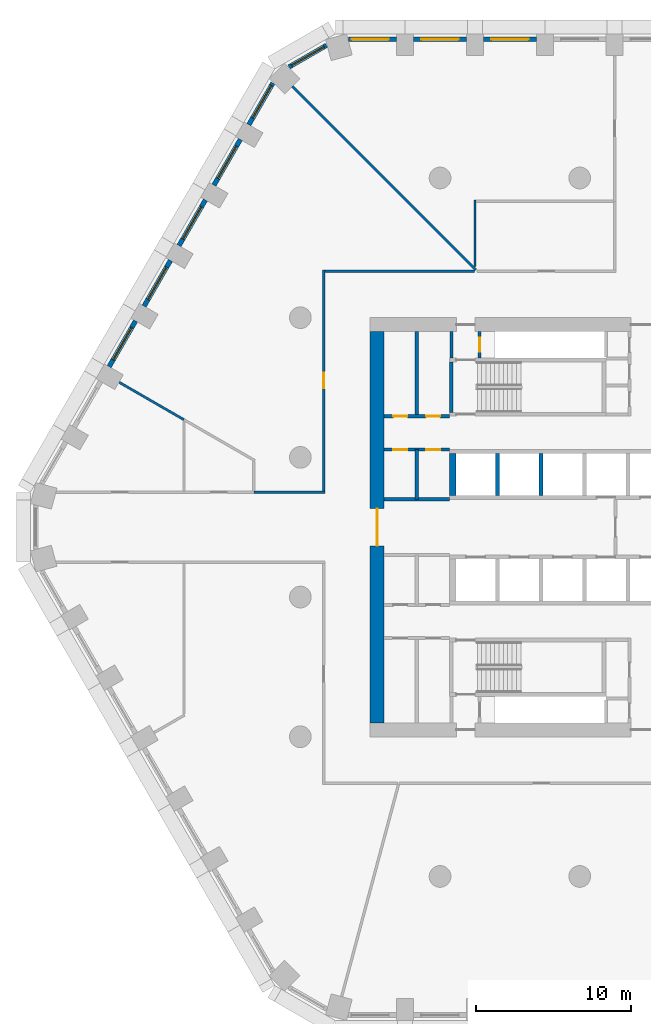
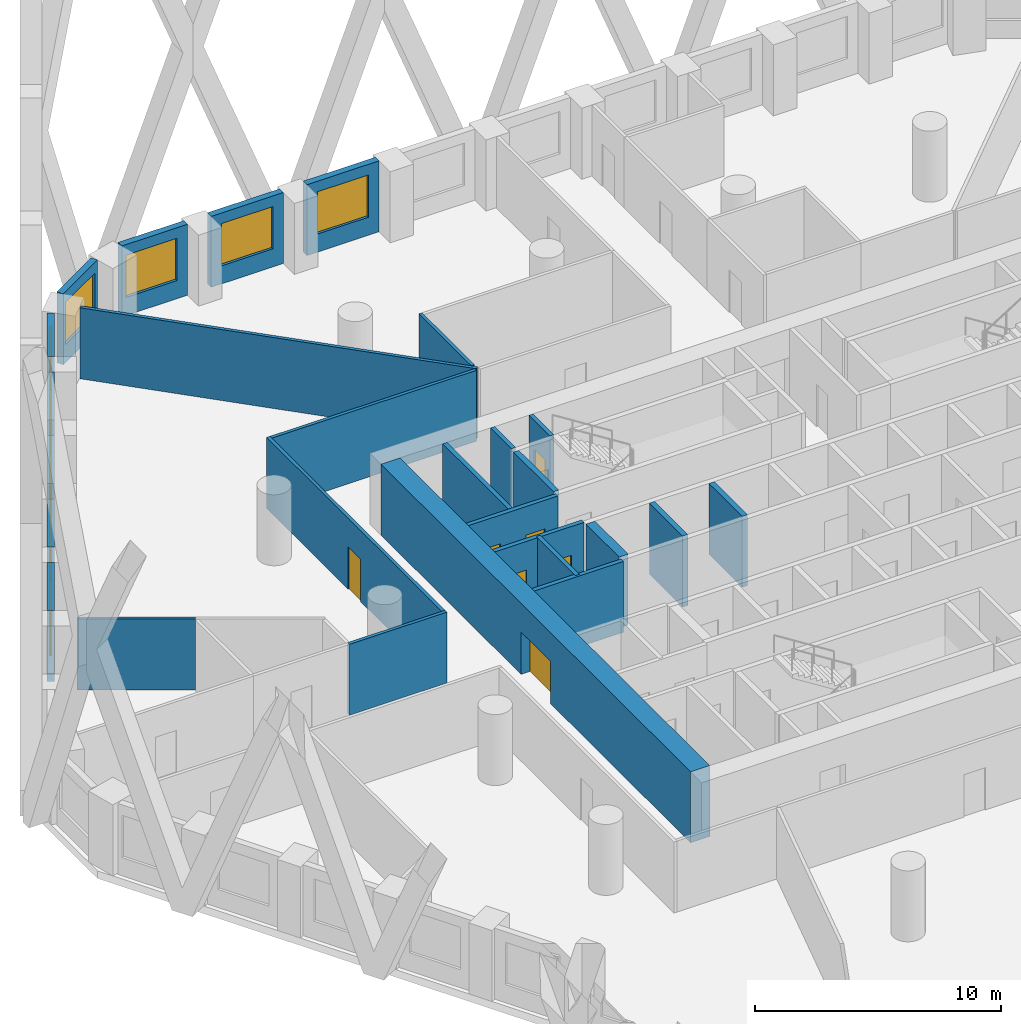
# One storey, part 5 of 18: 27 walls, 9 windows, 7 doors, 16 openings.
"""IFC4 building model written with IfcOpenShell, lengths in metres."""

from ifc_helpers import new_model, si_unit, direction, frame, frame_2d, origin, place, context, subcontext, project, spatial, polyline, rectangle, outline, extrude, material, layer, layer_set, type_object, element, fill, save


model = new_model("IFC4")

# Units and contexts
model_context = context("Model", 3, precision=1e-05, world=origin(), true_north=direction((0.0, 1.0)))
body_context = subcontext(model_context, "Body", "Model", "MODEL_VIEW")
ifc_project = project(units=[si_unit("LENGTHUNIT", "METRE"), si_unit("AREAUNIT", "SQUARE_METRE"), si_unit("VOLUMEUNIT", "CUBIC_METRE"), si_unit("PLANEANGLEUNIT", "RADIAN"), si_unit("MASSUNIT", "GRAM", prefix="KILO")], contexts=[model_context])

# Site, building, storey
site_placement = place(None, origin())
site = spatial("IfcSite", under=ifc_project, at=site_placement, CompositionType="ELEMENT")
building_placement = place(site_placement, origin())
building = spatial("IfcBuilding", under=site, at=building_placement, Name="Dhurran Vertical Campus", CompositionType="ELEMENT")
storey_placement = place(building_placement, frame((0.0, 0.0, 53.39990234375)))
storey = spatial("IfcBuildingStorey", under=building, at=storey_placement, Name="L12", CompositionType="ELEMENT", Elevation=53.39990234375)

# Wall, opening, window
ifc_material_1 = material(Name="Precast concrete C50/60", Category="concrete")
ifc_layer_1 = layer(ifc_material_1, 0.300048828125)
ifc_layer_set_1 = layer_set([ifc_layer_1], Name="Precast concrete C50/60")
wall_type_1 = type_object("IfcWallType", Name="Precast spandrel wall 300", PredefinedType="SOLIDWALL", material=ifc_layer_set_1)
wall_1_placement = place(storey_placement, frame((-7.300537109375, 31.4296875, 0.0), z_axis=(0.0, 0.0, 1.0), x_axis=(-1.0, 0.0, 0.0)))
wall_1 = element("IfcWall", 1, at=wall_1_placement, inside=storey, type_object=wall_type_1, Name="EW1 L12.32", PredefinedType="SOLIDWALL", context=body_context, shape_type="SweptSolid", body=[
    extrude(rectangle(XDim=3.39892578125, YDim=0.300048828125, at=frame_2d((1.699462890625, 0.0))), origin(), (0.0, 0.0, 1.0), 3.525146484375),
])
opening_1_placement = place(wall_1_placement, frame((0.49951171875, 0.0, 0.89990234375)))
opening_1 = element("IfcOpeningElement", 2, at=opening_1_placement, cuts=wall_1, Name="Opening WT1", PredefinedType="OPENING", context=body_context, shape_type="SweptSolid", body=[
    extrude(rectangle(XDim=2.39990234375, YDim=2.10009765625, at=frame_2d((1.199951171875, 1.050048828125))), frame((0.0, 0.159912109375, 0.0), z_axis=(0.0, -1.0, 0.0), x_axis=(1.0, 0.0, 0.0)), (0.0, 0.0, 1.0), 0.320068359375),
])
ifc_material_2 = material(Name="Aluminium frame with solar-control glass", Category="aluminium")
window_type = type_object("IfcWindowType", Name="Punched window 2400 x 2100", PartitioningType="SINGLE_PANEL", PredefinedType="WINDOW", material=ifc_material_2)
window_1_placement = place(opening_1_placement, origin())
window_1 = element("IfcWindow", 3, at=window_1_placement, inside=storey, type_object=window_type, Name="WT1 L12.32", OverallHeight=2.10009765625, OverallWidth=2.39990234375, PartitioningType="SINGLE_PANEL", PredefinedType="WINDOW", context=body_context, shape_type="SweptSolid", body=[
    extrude(rectangle(XDim=2.39990234375, YDim=2.10009765625, at=frame_2d((1.199951171875, 1.050048828125))), frame((0.0, 0.030029296875, 0.0), z_axis=(0.0, -1.0, 0.0), x_axis=(1.0, 0.0, 0.0)), (0.0, 0.0, 1.0), 0.06005859375),
])
fill(opening_1, window_1)

wall_2_placement = place(storey_placement, frame((-11.800537109375, 31.4296875, 0.0), z_axis=(0.0, 0.0, 1.0), x_axis=(-1.0, 0.0, 0.0)))
wall_2 = element("IfcWall", 4, at=wall_2_placement, inside=storey, type_object=wall_type_1, Name="EW1 L12.33", PredefinedType="SOLIDWALL", context=body_context, shape_type="SweptSolid", body=[
    extrude(rectangle(XDim=3.39892578125, YDim=0.300048828125, at=frame_2d((1.699462890625, 0.0))), origin(), (0.0, 0.0, 1.0), 3.525146484375),
])
opening_2_placement = place(wall_2_placement, frame((0.49951171875, 0.0, 0.89990234375)))
opening_2 = element("IfcOpeningElement", 5, at=opening_2_placement, cuts=wall_2, Name="Opening WT1", PredefinedType="OPENING", context=body_context, shape_type="SweptSolid", body=[
    extrude(rectangle(XDim=2.39990234375, YDim=2.10009765625, at=frame_2d((1.199951171875, 1.050048828125))), frame((0.0, 0.159912109375, 0.0), z_axis=(0.0, -1.0, 0.0), x_axis=(1.0, 0.0, 0.0)), (0.0, 0.0, 1.0), 0.320068359375),
])
window_2_placement = place(opening_2_placement, origin())
window_2 = element("IfcWindow", 6, at=window_2_placement, inside=storey, type_object=window_type, Name="WT1 L12.33", OverallHeight=2.10009765625, OverallWidth=2.39990234375, PartitioningType="SINGLE_PANEL", PredefinedType="WINDOW", context=body_context, shape_type="SweptSolid", body=[
    extrude(rectangle(XDim=2.39990234375, YDim=2.10009765625, at=frame_2d((1.199951171875, 1.050048828125))), frame((0.0, 0.030029296875, 0.0), z_axis=(0.0, -1.0, 0.0), x_axis=(1.0, 0.0, 0.0)), (0.0, 0.0, 1.0), 0.06005859375),
])
fill(opening_2, window_2)

wall_3_placement = place(storey_placement, frame((-16.300537109375, 31.4296875, 0.0), z_axis=(0.0, 0.0, 1.0), x_axis=(-1.0, 0.0, 0.0)))
wall_3 = element("IfcWall", 7, at=wall_3_placement, inside=storey, type_object=wall_type_1, Name="EW1 L12.34", PredefinedType="SOLIDWALL", context=body_context, shape_type="SweptSolid", body=[
    extrude(rectangle(XDim=3.090576171875, YDim=0.300048828125, at=frame_2d((1.54541015625, 0.0))), origin(), (0.0, 0.0, 1.0), 3.525146484375),
])
opening_3_placement = place(wall_3_placement, frame((0.49951171875, 0.0, 0.89990234375)))
opening_3 = element("IfcOpeningElement", 8, at=opening_3_placement, cuts=wall_3, Name="Opening WT1", PredefinedType="OPENING", context=body_context, shape_type="SweptSolid", body=[
    extrude(rectangle(XDim=2.39990234375, YDim=2.10009765625, at=frame_2d((1.199951171875, 1.050048828125))), frame((0.0, 0.159912109375, 0.0), z_axis=(0.0, -1.0, 0.0), x_axis=(1.0, 0.0, 0.0)), (0.0, 0.0, 1.0), 0.320068359375),
])
window_3_placement = place(opening_3_placement, origin())
window_3 = element("IfcWindow", 9, at=window_3_placement, inside=storey, type_object=window_type, Name="WT1 L12.34", OverallHeight=2.10009765625, OverallWidth=2.39990234375, PartitioningType="SINGLE_PANEL", PredefinedType="WINDOW", context=body_context, shape_type="SweptSolid", body=[
    extrude(rectangle(XDim=2.39990234375, YDim=2.10009765625, at=frame_2d((1.199951171875, 1.050048828125))), frame((0.0, 0.030029296875, 0.0), z_axis=(0.0, -1.0, 0.0), x_axis=(1.0, 0.0, 0.0)), (0.0, 0.0, 1.0), 0.06005859375),
])
fill(opening_3, window_3)

wall_4_placement = place(storey_placement, frame((-20.81884765625, 31.047119140625, 0.0), z_axis=(0.0, 0.0, 1.0), x_axis=(-0.866020456713, -0.500008568482, 0.0)))
wall_4 = element("IfcWall", 10, at=wall_4_placement, inside=storey, type_object=wall_type_1, Name="EW1 L12.35", PredefinedType="SOLIDWALL", context=body_context, shape_type="SweptSolid", body=[
    extrude(rectangle(XDim=2.7822265625, YDim=0.300048828125, at=frame_2d((1.39111328125, 0.0))), origin(), (0.0, 0.0, 1.0), 3.525146484375),
])
opening_4_placement = place(wall_4_placement, frame((0.191162109375, 0.0, 0.89990234375)))
opening_4 = element("IfcOpeningElement", 11, at=opening_4_placement, cuts=wall_4, Name="Opening WT1", PredefinedType="OPENING", context=body_context, shape_type="SweptSolid", body=[
    extrude(rectangle(XDim=2.39990234375, YDim=2.10009765625, at=frame_2d((1.199951171875, 1.050048828125))), frame((0.0, 0.159912109375, 0.0), z_axis=(0.0, -1.0, 0.0), x_axis=(1.0, 0.0, 0.0)), (0.0, 0.0, 1.0), 0.320068359375),
])
window_4_placement = place(opening_4_placement, origin())
window_4 = element("IfcWindow", 12, at=window_4_placement, inside=storey, type_object=window_type, Name="WT1 L12.35", OverallHeight=2.10009765625, OverallWidth=2.39990234375, PartitioningType="SINGLE_PANEL", PredefinedType="WINDOW", context=body_context, shape_type="SweptSolid", body=[
    extrude(rectangle(XDim=2.39990234375, YDim=2.10009765625, at=frame_2d((1.199951171875, 1.050048828125))), frame((0.0, 0.030029296875, 0.0), z_axis=(0.0, -1.0, 0.0), x_axis=(1.0, 0.0, 0.0)), (0.0, 0.0, 1.0), 0.06005859375),
])
fill(opening_4, window_4)

wall_5_placement = place(storey_placement, frame((-24.2734375, 28.611083984375, 0.0), z_axis=(0.0, 0.0, 1.0), x_axis=(-0.499995950774, -0.866027741594, 0.0)))
wall_5 = element("IfcWall", 13, at=wall_5_placement, inside=storey, type_object=wall_type_1, Name="EW1 L12.36", PredefinedType="SOLIDWALL", context=body_context, shape_type="SweptSolid", body=[
    extrude(rectangle(XDim=3.0908203125, YDim=0.300048828125, at=frame_2d((1.54541015625, 0.0))), origin(), (0.0, 0.0, 1.0), 3.525146484375),
])
opening_5_placement = place(wall_5_placement, frame((0.191162109375, 0.0, 0.89990234375)))
opening_5 = element("IfcOpeningElement", 14, at=opening_5_placement, cuts=wall_5, Name="Opening WT1", PredefinedType="OPENING", context=body_context, shape_type="SweptSolid", body=[
    extrude(rectangle(XDim=2.39990234375, YDim=2.10009765625, at=frame_2d((1.199951171875, 1.050048828125))), frame((0.0, 0.159912109375, 0.0), z_axis=(0.0, -1.0, 0.0), x_axis=(1.0, 0.0, 0.0)), (0.0, 0.0, 1.0), 0.320068359375),
])
window_5_placement = place(opening_5_placement, origin())
window_5 = element("IfcWindow", 15, at=window_5_placement, inside=storey, type_object=window_type, Name="WT1 L12.36", OverallHeight=2.10009765625, OverallWidth=2.39990234375, PartitioningType="SINGLE_PANEL", PredefinedType="WINDOW", context=body_context, shape_type="SweptSolid", body=[
    extrude(rectangle(XDim=2.39990234375, YDim=2.10009765625, at=frame_2d((1.199951171875, 1.050048828125))), frame((0.0, 0.030029296875, 0.0), z_axis=(0.0, -1.0, 0.0), x_axis=(1.0, 0.0, 0.0)), (0.0, 0.0, 1.0), 0.06005859375),
])
fill(opening_5, window_5)

wall_6_placement = place(storey_placement, frame((-26.369384765625, 24.98095703125, 0.0), z_axis=(0.0, 0.0, 1.0), x_axis=(-0.499993955907, -0.866028893315, 0.0)))
wall_6 = element("IfcWall", 16, at=wall_6_placement, inside=storey, type_object=wall_type_1, Name="EW1 L12.37", PredefinedType="SOLIDWALL", context=body_context, shape_type="SweptSolid", body=[
    extrude(rectangle(XDim=3.39892578125, YDim=0.300048828125, at=frame_2d((1.699462890625, 0.0))), origin(), (0.0, 0.0, 1.0), 3.525146484375),
])
opening_6_placement = place(wall_6_placement, frame((0.49951171875, 0.0, 0.89990234375)))
opening_6 = element("IfcOpeningElement", 17, at=opening_6_placement, cuts=wall_6, Name="Opening WT1", PredefinedType="OPENING", context=body_context, shape_type="SweptSolid", body=[
    extrude(rectangle(XDim=2.39990234375, YDim=2.10009765625, at=frame_2d((1.199951171875, 1.050048828125))), frame((0.0, 0.159912109375, 0.0), z_axis=(0.0, -1.0, 0.0), x_axis=(1.0, 0.0, 0.0)), (0.0, 0.0, 1.0), 0.320068359375),
])
window_6_placement = place(opening_6_placement, origin())
window_6 = element("IfcWindow", 18, at=window_6_placement, inside=storey, type_object=window_type, Name="WT1 L12.37", OverallHeight=2.10009765625, OverallWidth=2.39990234375, PartitioningType="SINGLE_PANEL", PredefinedType="WINDOW", context=body_context, shape_type="SweptSolid", body=[
    extrude(rectangle(XDim=2.39990234375, YDim=2.10009765625, at=frame_2d((1.199951171875, 1.050048828125))), frame((0.0, 0.030029296875, 0.0), z_axis=(0.0, -1.0, 0.0), x_axis=(1.0, 0.0, 0.0)), (0.0, 0.0, 1.0), 0.06005859375),
])
fill(opening_6, window_6)

wall_7_placement = place(storey_placement, frame((-28.619384765625, 21.083740234375, 0.0), z_axis=(0.0, 0.0, 1.0), x_axis=(-0.499993955907, -0.866028893315, 0.0)))
wall_7 = element("IfcWall", 19, at=wall_7_placement, inside=storey, type_object=wall_type_1, Name="EW1 L12.38", PredefinedType="SOLIDWALL", context=body_context, shape_type="SweptSolid", body=[
    extrude(rectangle(XDim=3.39892578125, YDim=0.300048828125, at=frame_2d((1.699462890625, 0.0))), origin(), (0.0, 0.0, 1.0), 3.525146484375),
])
opening_7_placement = place(wall_7_placement, frame((0.49951171875, 0.0, 0.89990234375)))
opening_7 = element("IfcOpeningElement", 20, at=opening_7_placement, cuts=wall_7, Name="Opening WT1", PredefinedType="OPENING", context=body_context, shape_type="SweptSolid", body=[
    extrude(rectangle(XDim=2.39990234375, YDim=2.10009765625, at=frame_2d((1.199951171875, 1.050048828125))), frame((0.0, 0.159912109375, 0.0), z_axis=(0.0, -1.0, 0.0), x_axis=(1.0, 0.0, 0.0)), (0.0, 0.0, 1.0), 0.320068359375),
])
window_7_placement = place(opening_7_placement, origin())
window_7 = element("IfcWindow", 21, at=window_7_placement, inside=storey, type_object=window_type, Name="WT1 L12.38", OverallHeight=2.10009765625, OverallWidth=2.39990234375, PartitioningType="SINGLE_PANEL", PredefinedType="WINDOW", context=body_context, shape_type="SweptSolid", body=[
    extrude(rectangle(XDim=2.39990234375, YDim=2.10009765625, at=frame_2d((1.199951171875, 1.050048828125))), frame((0.0, 0.030029296875, 0.0), z_axis=(0.0, -1.0, 0.0), x_axis=(1.0, 0.0, 0.0)), (0.0, 0.0, 1.0), 0.06005859375),
])
fill(opening_7, window_7)

wall_8_placement = place(storey_placement, frame((-30.869384765625, 17.186767578125, 0.0), z_axis=(0.0, 0.0, 1.0), x_axis=(-0.499993955907, -0.866028893315, 0.0)))
wall_8 = element("IfcWall", 22, at=wall_8_placement, inside=storey, type_object=wall_type_1, Name="EW1 L12.39", PredefinedType="SOLIDWALL", context=body_context, shape_type="SweptSolid", body=[
    extrude(rectangle(XDim=3.39892578125, YDim=0.300048828125, at=frame_2d((1.699462890625, 0.0))), origin(), (0.0, 0.0, 1.0), 3.525146484375),
])
opening_8_placement = place(wall_8_placement, frame((0.49951171875, 0.0, 0.89990234375)))
opening_8 = element("IfcOpeningElement", 23, at=opening_8_placement, cuts=wall_8, Name="Opening WT1", PredefinedType="OPENING", context=body_context, shape_type="SweptSolid", body=[
    extrude(rectangle(XDim=2.39990234375, YDim=2.10009765625, at=frame_2d((1.199951171875, 1.050048828125))), frame((0.0, 0.159912109375, 0.0), z_axis=(0.0, -1.0, 0.0), x_axis=(1.0, 0.0, 0.0)), (0.0, 0.0, 1.0), 0.320068359375),
])
window_8_placement = place(opening_8_placement, origin())
window_8 = element("IfcWindow", 24, at=window_8_placement, inside=storey, type_object=window_type, Name="WT1 L12.39", OverallHeight=2.10009765625, OverallWidth=2.39990234375, PartitioningType="SINGLE_PANEL", PredefinedType="WINDOW", context=body_context, shape_type="SweptSolid", body=[
    extrude(rectangle(XDim=2.39990234375, YDim=2.10009765625, at=frame_2d((1.199951171875, 1.050048828125))), frame((0.0, 0.030029296875, 0.0), z_axis=(0.0, -1.0, 0.0), x_axis=(1.0, 0.0, 0.0)), (0.0, 0.0, 1.0), 0.06005859375),
])
fill(opening_8, window_8)

wall_9_placement = place(storey_placement, frame((-33.119384765625, 13.28955078125, 0.0), z_axis=(0.0, 0.0, 1.0), x_axis=(-0.499993955907, -0.866028893315, 0.0)))
wall_9 = element("IfcWall", 25, at=wall_9_placement, inside=storey, type_object=wall_type_1, Name="EW1 L12.40", PredefinedType="SOLIDWALL", context=body_context, shape_type="SweptSolid", body=[
    extrude(rectangle(XDim=3.39892578125, YDim=0.300048828125, at=frame_2d((1.699462890625, 0.0))), origin(), (0.0, 0.0, 1.0), 3.525146484375),
])
opening_9_placement = place(wall_9_placement, frame((0.49951171875, 0.0, 0.89990234375)))
opening_9 = element("IfcOpeningElement", 26, at=opening_9_placement, cuts=wall_9, Name="Opening WT1", PredefinedType="OPENING", context=body_context, shape_type="SweptSolid", body=[
    extrude(rectangle(XDim=2.39990234375, YDim=2.10009765625, at=frame_2d((1.199951171875, 1.050048828125))), frame((0.0, 0.159912109375, 0.0), z_axis=(0.0, -1.0, 0.0), x_axis=(1.0, 0.0, 0.0)), (0.0, 0.0, 1.0), 0.320068359375),
])
window_9_placement = place(opening_9_placement, origin())
window_9 = element("IfcWindow", 27, at=window_9_placement, inside=storey, type_object=window_type, Name="WT1 L12.40", OverallHeight=2.10009765625, OverallWidth=2.39990234375, PartitioningType="SINGLE_PANEL", PredefinedType="WINDOW", context=body_context, shape_type="SweptSolid", body=[
    extrude(rectangle(XDim=2.39990234375, YDim=2.10009765625, at=frame_2d((1.199951171875, 1.050048828125))), frame((0.0, 0.030029296875, 0.0), z_axis=(0.0, -1.0, 0.0), x_axis=(1.0, 0.0, 0.0)), (0.0, 0.0, 1.0), 0.06005859375),
])
fill(opening_9, window_9)

# Wall, opening, door
ifc_material_3 = material(Name="Concrete C60/75", Category="concrete")
ifc_layer_2 = layer(ifc_material_3, 0.89990234375)
ifc_layer_set_2 = layer_set([ifc_layer_2], Name="Concrete C60/75")
wall_type_2 = type_object("IfcWallType", Name="co-CORE-WALL-C0-900", PredefinedType="SHEAR", material=ifc_layer_set_2)
wall_10_placement = place(storey_placement, frame((-17.550048828125, -12.60009765625, 0.0), z_axis=(0.0, 0.0, 1.0), x_axis=(0.0, 1.0, 0.0)))
wall_10 = element("IfcWall", 28, at=wall_10_placement, inside=storey, type_object=wall_type_2, Name="Core wall W L12", PredefinedType="SHEAR", context=body_context, shape_type="SweptSolid", body=[
    extrude(rectangle(XDim=25.2001953125, YDim=0.89990234375, at=frame_2d((12.60009765625, 0.0))), origin(), (0.0, 0.0, 1.0), 3.525146484375),
])
opening_10_placement = place(wall_10_placement, frame((11.39990234375, 0.0, 0.0)))
opening_10 = element("IfcOpeningElement", 29, at=opening_10_placement, cuts=wall_10, Name="Opening CL1", PredefinedType="OPENING", context=body_context, shape_type="SweptSolid", body=[
    extrude(rectangle(XDim=2.39990234375, YDim=2.10009765625, at=frame_2d((1.199951171875, 1.050048828125))), frame((0.0, 0.4599609375, 0.0), z_axis=(0.0, -1.0, 0.0), x_axis=(1.0, 0.0, 0.0)), (0.0, 0.0, 1.0), 0.919921875),
])
ifc_material_4 = material(Name="Fire-rated glazed door set")
door_type_1 = type_object("IfcDoorType", Name="co-D-LOBBY 2400x2100", OperationType="DOUBLE_DOOR_DOUBLE_SWING", PredefinedType="DOOR", material=ifc_material_4)
door_1_placement = place(opening_10_placement, origin())
door_1 = element("IfcDoor", 30, at=door_1_placement, inside=storey, type_object=door_type_1, Name="Lift lobby door W L12", OperationType="DOUBLE_DOOR_DOUBLE_SWING", OverallHeight=2.10009765625, OverallWidth=2.39990234375, PredefinedType="DOOR", context=body_context, shape_type="SweptSolid", body=[
    extrude(rectangle(XDim=2.39990234375, YDim=2.10009765625, at=frame_2d((1.199951171875, 1.050048828125))), frame((0.0, 0.02490234375, 0.0), z_axis=(0.0, -1.0, 0.0), x_axis=(1.0, 0.0, 0.0)), (0.0, 0.0, 1.0), 0.050048828125),
])
fill(opening_10, door_1)

# Wall
ifc_material_5 = material(Name="Fire-rated masonry blockwork", Category="masonry")
ifc_layer_3 = layer(ifc_material_5, 0.199951171875)
ifc_layer_set_3 = layer_set([ifc_layer_3], Name="Fire-rated masonry blockwork")
wall_type_3 = type_object("IfcWallType", Name="co-FIRE-PARTITION-200", PredefinedType="PARTITIONING", material=ifc_layer_set_3)
wall_11_placement = place(storey_placement, frame((-12.75, 10.89990234375, 0.0), z_axis=(0.0, 0.0, 1.0), x_axis=(0.0, 1.0, 0.0)))
element("IfcWall", 31, at=wall_11_placement, inside=storey, type_object=wall_type_3, Name="Core partition pass-ST1-o L12", PredefinedType="PARTITIONING", context=body_context, shape_type="SweptSolid", body=[
    extrude(rectangle(XDim=1.7001953125, YDim=0.199951171875, at=frame_2d((0.85009765625, 0.0))), origin(), (0.0, 0.0, 1.0), 3.525146484375),
])

# Wall, opening, door
wall_12_placement = place(storey_placement, frame((-10.949951171875, 10.89990234375, 0.0), z_axis=(0.0, 0.0, 1.0), x_axis=(0.0, 1.0, 0.0)))
wall_12 = element("IfcWall", 32, at=wall_12_placement, inside=storey, type_object=wall_type_3, Name="Core partition pass-ST1-i L12", PredefinedType="PARTITIONING", context=body_context, shape_type="SweptSolid", body=[
    extrude(rectangle(XDim=1.7001953125, YDim=0.199951171875, at=frame_2d((0.85009765625, 0.0))), origin(), (0.0, 0.0, 1.0), 3.525146484375),
])
opening_11_placement = place(wall_12_placement, frame((0.39990234375, 0.0, 0.0)))
opening_11 = element("IfcOpeningElement", 33, at=opening_11_placement, cuts=wall_12, Name="Opening T03-C10", PredefinedType="OPENING", context=body_context, shape_type="SweptSolid", body=[
    extrude(rectangle(XDim=0.89990234375, YDim=2.10009765625, at=frame_2d((0.449951171875, 1.050048828125))), frame((0.0, 0.10986328125, 0.0), z_axis=(0.0, -1.0, 0.0), x_axis=(1.0, 0.0, 0.0)), (0.0, 0.0, 1.0), 0.219970703125),
])
ifc_material_6 = material(Name="Fire-rated timber door set", Category="wood")
door_type_2 = type_object("IfcDoorType", Name="co-D-ROOM 900x2100", OperationType="SINGLE_SWING_LEFT", PredefinedType="DOOR", material=ifc_material_6)
door_2_placement = place(opening_11_placement, origin())
door_2 = element("IfcDoor", 34, at=door_2_placement, inside=storey, type_object=door_type_2, Name="Riser room door L12", OperationType="SINGLE_SWING_LEFT", OverallHeight=2.10009765625, OverallWidth=0.89990234375, PredefinedType="DOOR", context=body_context, shape_type="SweptSolid", body=[
    extrude(rectangle(XDim=0.89990234375, YDim=2.10009765625, at=frame_2d((0.449951171875, 1.050048828125))), frame((0.0, 0.02490234375, 0.0), z_axis=(0.0, -1.0, 0.0), x_axis=(1.0, 0.0, 0.0)), (0.0, 0.0, 1.0), 0.050048828125),
])
fill(opening_11, door_2)

# Wall
wall_13_placement = place(storey_placement, frame((-15.0, 7.14990234375, 0.0), z_axis=(0.0, 0.0, 1.0), x_axis=(0.0, 1.0, 0.0)))
element("IfcWall", 35, at=wall_13_placement, inside=storey, type_object=wall_type_3, Name="Core partition en-NW-cut0 L12", PredefinedType="PARTITIONING", context=body_context, shape_type="SweptSolid", body=[
    extrude(rectangle(XDim=5.4501953125, YDim=0.199951171875, at=frame_2d((2.72509765625, 0.0))), origin(), (0.0, 0.0, 1.0), 3.525146484375),
])

# Wall, openings, doors
wall_14_placement = place(storey_placement, frame((-17.10009765625, 7.14990234375, 0.0), z_axis=(0.0, 0.0, 1.0), x_axis=(1.0, 0.0, 0.0)))
wall_14 = element("IfcWall", 36, at=wall_14_placement, inside=storey, type_object=wall_type_3, Name="Core partition en-NW-w L12", PredefinedType="PARTITIONING", context=body_context, shape_type="SweptSolid", body=[
    extrude(rectangle(XDim=4.2001953125, YDim=0.199951171875, at=frame_2d((2.10009765625, 0.0))), origin(), (0.0, 0.0, 1.0), 3.525146484375),
])
opening_12_placement = place(wall_14_placement, frame((0.60009765625, 0.0, 0.0)))
opening_12 = element("IfcOpeningElement", 37, at=opening_12_placement, cuts=wall_14, Name="Opening T03-C14", PredefinedType="OPENING", context=body_context, shape_type="SweptSolid", body=[
    extrude(rectangle(XDim=0.89990234375, YDim=2.10009765625, at=frame_2d((0.449951171875, 1.050048828125))), frame((0.0, 0.10986328125, 0.0), z_axis=(0.0, -1.0, 0.0), x_axis=(1.0, 0.0, 0.0)), (0.0, 0.0, 1.0), 0.219970703125),
])
opening_13_placement = place(wall_14_placement, frame((2.699951171875, 0.0, 0.0)))
opening_13 = element("IfcOpeningElement", 38, at=opening_13_placement, cuts=wall_14, Name="Opening T03-C15", PredefinedType="OPENING", context=body_context, shape_type="SweptSolid", body=[
    extrude(rectangle(XDim=0.89990234375, YDim=2.10009765625, at=frame_2d((0.449951171875, 1.050048828125))), frame((0.0, 0.10986328125, 0.0), z_axis=(0.0, -1.0, 0.0), x_axis=(1.0, 0.0, 0.0)), (0.0, 0.0, 1.0), 0.219970703125),
])
door_3_placement = place(opening_12_placement, origin())
door_3 = element("IfcDoor", 39, at=door_3_placement, inside=storey, type_object=door_type_2, Name="Store door L12", OperationType="SINGLE_SWING_LEFT", OverallHeight=2.10009765625, OverallWidth=0.89990234375, PredefinedType="DOOR", context=body_context, shape_type="SweptSolid", body=[
    extrude(rectangle(XDim=0.89990234375, YDim=2.10009765625, at=frame_2d((0.449951171875, 1.050048828125))), frame((0.0, 0.02490234375, 0.0), z_axis=(0.0, -1.0, 0.0), x_axis=(1.0, 0.0, 0.0)), (0.0, 0.0, 1.0), 0.050048828125),
])
fill(opening_12, door_3)
door_4_placement = place(opening_13_placement, origin())
door_4 = element("IfcDoor", 40, at=door_4_placement, inside=storey, type_object=door_type_2, Name="Print room door L12", OperationType="SINGLE_SWING_LEFT", OverallHeight=2.10009765625, OverallWidth=0.89990234375, PredefinedType="DOOR", context=body_context, shape_type="SweptSolid", body=[
    extrude(rectangle(XDim=0.89990234375, YDim=2.10009765625, at=frame_2d((0.449951171875, 1.050048828125))), frame((0.0, 0.02490234375, 0.0), z_axis=(0.0, -1.0, 0.0), x_axis=(1.0, 0.0, 0.0)), (0.0, 0.0, 1.0), 0.050048828125),
])
fill(opening_13, door_4)

# Wall
wall_15_placement = place(storey_placement, frame((-15.0, 1.800048828125, 0.0), z_axis=(0.0, 0.0, 1.0), x_axis=(0.0, 1.0, 0.0)))
element("IfcWall", 41, at=wall_15_placement, inside=storey, type_object=wall_type_3, Name="Core partition es-NW-cut0 L12", PredefinedType="PARTITIONING", context=body_context, shape_type="SweptSolid", body=[
    extrude(rectangle(XDim=3.199951171875, YDim=0.199951171875, at=frame_2d((1.60009765625, 0.0))), origin(), (0.0, 0.0, 1.0), 3.525146484375),
])

# Wall, openings, doors
wall_16_placement = place(storey_placement, frame((-17.10009765625, 5.0, 0.0), z_axis=(0.0, 0.0, 1.0), x_axis=(1.0, 0.0, 0.0)))
wall_16 = element("IfcWall", 42, at=wall_16_placement, inside=storey, type_object=wall_type_3, Name="Core partition es-NW-w L12", PredefinedType="PARTITIONING", context=body_context, shape_type="SweptSolid", body=[
    extrude(rectangle(XDim=4.2001953125, YDim=0.199951171875, at=frame_2d((2.10009765625, 0.0))), origin(), (0.0, 0.0, 1.0), 3.525146484375),
])
opening_14_placement = place(wall_16_placement, frame((0.60009765625, 0.0, 0.0)))
opening_14 = element("IfcOpeningElement", 43, at=opening_14_placement, cuts=wall_16, Name="Opening T03-C16", PredefinedType="OPENING", context=body_context, shape_type="SweptSolid", body=[
    extrude(rectangle(XDim=0.89990234375, YDim=2.10009765625, at=frame_2d((0.449951171875, 1.050048828125))), frame((0.0, 0.10986328125, 0.0), z_axis=(0.0, -1.0, 0.0), x_axis=(1.0, 0.0, 0.0)), (0.0, 0.0, 1.0), 0.219970703125),
])
opening_15_placement = place(wall_16_placement, frame((2.699951171875, 0.0, 0.0)))
opening_15 = element("IfcOpeningElement", 44, at=opening_15_placement, cuts=wall_16, Name="Opening T03-C17", PredefinedType="OPENING", context=body_context, shape_type="SweptSolid", body=[
    extrude(rectangle(XDim=0.89990234375, YDim=2.10009765625, at=frame_2d((0.449951171875, 1.050048828125))), frame((0.0, 0.10986328125, 0.0), z_axis=(0.0, -1.0, 0.0), x_axis=(1.0, 0.0, 0.0)), (0.0, 0.0, 1.0), 0.219970703125),
])
door_5_placement = place(opening_14_placement, origin())
door_5 = element("IfcDoor", 45, at=door_5_placement, inside=storey, type_object=door_type_2, Name="Electrical riser door L12", OperationType="SINGLE_SWING_LEFT", OverallHeight=2.10009765625, OverallWidth=0.89990234375, PredefinedType="DOOR", context=body_context, shape_type="SweptSolid", body=[
    extrude(rectangle(XDim=0.89990234375, YDim=2.10009765625, at=frame_2d((0.449951171875, 1.050048828125))), frame((0.0, 0.02490234375, 0.0), z_axis=(0.0, -1.0, 0.0), x_axis=(1.0, 0.0, 0.0)), (0.0, 0.0, 1.0), 0.050048828125),
])
fill(opening_14, door_5)
door_6_placement = place(opening_15_placement, origin())
door_6 = element("IfcDoor", 46, at=door_6_placement, inside=storey, type_object=door_type_2, Name="Server room door L12", OperationType="SINGLE_SWING_LEFT", OverallHeight=2.10009765625, OverallWidth=0.89990234375, PredefinedType="DOOR", context=body_context, shape_type="SweptSolid", body=[
    extrude(rectangle(XDim=0.89990234375, YDim=2.10009765625, at=frame_2d((0.449951171875, 1.050048828125))), frame((0.0, 0.02490234375, 0.0), z_axis=(0.0, -1.0, 0.0), x_axis=(1.0, 0.0, 0.0)), (0.0, 0.0, 1.0), 0.050048828125),
])
fill(opening_15, door_6)

# Walls
wall_17_placement = place(storey_placement, frame((-17.10009765625, 1.800048828125, 0.0), z_axis=(0.0, 0.0, 1.0), x_axis=(1.0, 0.0, 0.0)))
element("IfcWall", 47, at=wall_17_placement, inside=storey, type_object=wall_type_3, Name="Core partition es-NW-l L12", PredefinedType="PARTITIONING", context=body_context, shape_type="SweptSolid", body=[
    extrude(rectangle(XDim=4.2001953125, YDim=0.199951171875, at=frame_2d((2.10009765625, 0.0))), origin(), (0.0, 0.0, 1.0), 3.525146484375),
])
ifc_material_7 = material(Name="Concrete C50/60", Category="concrete")
ifc_layer_4 = layer(ifc_material_7, 0.25)
ifc_layer_set_4 = layer_set([ifc_layer_4], Name="Concrete C50/60")
wall_type_4 = type_object("IfcWallType", Name="co-SHAFT-MASS-250", PredefinedType="SHEAR", material=ifc_layer_set_4)
wall_18_placement = place(storey_placement, origin())
element("IfcWall", 48, at=wall_18_placement, inside=storey, type_object=wall_type_4, Name="Lift shaft wall N L12 2", PredefinedType="SHEAR", context=body_context, shape_type="SweptSolid", body=[
    extrude(outline(polyline([(-12.89990234375, 2.050048828125), (-12.47509765625, 2.050048828125), (-12.47509765625, 4.75), (-12.89990234375, 4.75), (-12.89990234375, 2.050048828125)])), origin(), (0.0, 0.0, 1.0), 3.525146484375),
])
wall_19_placement = place(storey_placement, origin())
element("IfcWall", 49, at=wall_19_placement, inside=storey, type_object=wall_type_4, Name="Lift shaft wall N L12 3", PredefinedType="SHEAR", context=body_context, shape_type="SweptSolid", body=[
    extrude(outline(polyline([(-9.925048828125, 2.050048828125), (-9.675048828125, 2.050048828125), (-9.675048828125, 4.75), (-9.925048828125, 4.75), (-9.925048828125, 2.050048828125)])), origin(), (0.0, 0.0, 1.0), 3.525146484375),
])
wall_20_placement = place(storey_placement, origin())
element("IfcWall", 50, at=wall_20_placement, inside=storey, type_object=wall_type_4, Name="Lift shaft wall N L12 4", PredefinedType="SHEAR", context=body_context, shape_type="SweptSolid", body=[
    extrude(outline(polyline([(-7.125, 2.050048828125), (-6.875, 2.050048828125), (-6.875, 4.75), (-7.125, 4.75), (-7.125, 2.050048828125)])), origin(), (0.0, 0.0, 1.0), 3.525146484375),
])
ifc_material_8 = material(Name="Concrete C40/50", Category="concrete")
ifc_layer_5 = layer(ifc_material_8, 0.25)
ifc_layer_set_5 = layer_set([ifc_layer_5], Name="Concrete C40/50")
wall_type_5 = type_object("IfcWallType", Name="co-STAIR-WALL-250", PredefinedType="SHEAR", material=ifc_layer_set_5)
wall_21_placement = place(storey_placement, frame((-12.77490234375, 7.39990234375, 0.0), z_axis=(0.0, 0.0, 1.0), x_axis=(0.0, 1.0, 0.0)))
element("IfcWall", 51, at=wall_21_placement, inside=storey, type_object=wall_type_5, Name="Stair ST1 enclosure wall L12", PredefinedType="SHEAR", context=body_context, shape_type="SweptSolid", body=[
    extrude(rectangle(XDim=3.25, YDim=0.25, at=frame_2d((1.625, 0.0))), origin(), (0.0, 0.0, 1.0), 3.525146484375),
])
ifc_material_9 = material(Name="Gypsum board corridor wall on steel studs", Category="steel")
ifc_layer_6 = layer(ifc_material_9, 0.14990234375)
ifc_layer_set_6 = layer_set([ifc_layer_6], Name="Gypsum board corridor wall on steel studs")
wall_type_6 = type_object("IfcWallType", Name="fl-CW-150 corridor wall", PredefinedType="PARTITIONING", material=ifc_layer_set_6)
wall_22_placement = place(storey_placement, frame((-25.5, 2.25, 0.0), z_axis=(0.0, 0.0, 1.0), x_axis=(1.0, 0.0, 0.0)))
element("IfcWall", 52, at=wall_22_placement, inside=storey, type_object=wall_type_6, Name="Partition 12-11", PredefinedType="PARTITIONING", context=body_context, shape_type="SweptSolid", body=[
    extrude(rectangle(XDim=4.574951171875, YDim=0.14990234375, at=frame_2d((2.28759765625, 0.0))), origin(), (0.0, 0.0, 1.0), 3.525146484375),
])

# Wall, opening, door
wall_23_placement = place(storey_placement, frame((-21.0, 16.574951171875, 0.0), z_axis=(0.0, 0.0, 1.0), x_axis=(0.0, -1.0, 0.0)))
wall_23 = element("IfcWall", 53, at=wall_23_placement, inside=storey, type_object=wall_type_6, Name="Partition 12-15", PredefinedType="PARTITIONING", context=body_context, shape_type="SweptSolid", body=[
    extrude(rectangle(XDim=14.25, YDim=0.14990234375, at=frame_2d((7.125, 0.0))), origin(), (0.0, 0.0, 1.0), 3.525146484375),
])
opening_16_placement = place(wall_23_placement, frame((6.625, 0.0, 0.0)))
opening_16 = element("IfcOpeningElement", 54, at=opening_16_placement, cuts=wall_23, Name="Opening T03.04", PredefinedType="OPENING", context=body_context, shape_type="SweptSolid", body=[
    extrude(rectangle(XDim=1.0, YDim=2.10009765625, at=frame_2d((0.5, 1.050048828125))), frame((0.0, 0.0849609375, 0.0), z_axis=(0.0, -1.0, 0.0), x_axis=(1.0, 0.0, 0.0)), (0.0, 0.0, 1.0), 0.169921875),
])
ifc_material_10 = material(Name="Solid-core timber door set, fire-rated", Category="wood")
door_type_3 = type_object("IfcDoorType", Name="fl-D-1000x2100", OperationType="SINGLE_SWING_LEFT", PredefinedType="DOOR", material=ifc_material_10)
door_7_placement = place(opening_16_placement, origin())
door_7 = element("IfcDoor", 55, at=door_7_placement, inside=storey, type_object=door_type_3, Name="Door 12.04", OperationType="SINGLE_SWING_LEFT", OverallHeight=2.10009765625, OverallWidth=1.0, PredefinedType="DOOR", context=body_context, shape_type="SweptSolid", body=[
    extrude(rectangle(XDim=1.0, YDim=2.10009765625, at=frame_2d((0.5, 1.050048828125))), frame((0.0, 0.02490234375, 0.0), z_axis=(0.0, -1.0, 0.0), x_axis=(1.0, 0.0, 0.0)), (0.0, 0.0, 1.0), 0.050048828125),
])
fill(opening_16, door_7)

# Walls
wall_24_placement = place(storey_placement, frame((-11.294921875, 16.5, 0.0), z_axis=(0.0, 0.0, 1.0), x_axis=(-1.0, 0.0, 0.0)))
element("IfcWall", 56, at=wall_24_placement, inside=storey, type_object=wall_type_6, Name="Partition 12-16", PredefinedType="PARTITIONING", context=body_context, shape_type="SweptSolid", body=[
    extrude(rectangle(XDim=9.630126953125, YDim=0.14990234375, at=frame_2d((4.81494140625, 0.0))), origin(), (0.0, 0.0, 1.0), 3.525146484375),
])
ifc_material_11 = material(Name="Gypsum board partition on steel studs", Category="steel")
ifc_layer_7 = layer(ifc_material_11, 0.14990234375)
ifc_layer_set_7 = layer_set([ifc_layer_7], Name="Gypsum board partition on steel studs")
wall_type_7 = type_object("IfcWallType", Name="fl-PW-150 fixed partition", PredefinedType="PARTITIONING", material=ifc_layer_set_7)
wall_25_placement = place(storey_placement, frame((-34.16748046875, 9.334228515625, 0.0), z_axis=(0.0, 0.0, 1.0), x_axis=(0.866011543723, -0.500024005562, 0.0)))
element("IfcWall", 57, at=wall_25_placement, inside=storey, type_object=wall_type_7, Name="Partition 12-03", PredefinedType="PARTITIONING", context=body_context, shape_type="SweptSolid", body=[
    extrude(rectangle(XDim=4.812255859375, YDim=0.14990234375, at=frame_2d((2.40625, 0.0))), origin(), (0.0, 0.0, 1.0), 3.525146484375),
])
wall_26_placement = place(storey_placement, frame((-23.01025390625, 28.393310546875, 0.0), z_axis=(0.0, 0.0, 1.0), x_axis=(0.707106781187, -0.707106781187, 0.0)))
element("IfcWall", 58, at=wall_26_placement, inside=storey, type_object=wall_type_7, Name="Partition 12-12", PredefinedType="PARTITIONING", context=body_context, shape_type="SweptSolid", body=[
    extrude(rectangle(XDim=16.70654296875, YDim=0.14990234375, at=frame_2d((8.353271484375, 0.0))), origin(), (0.0, 0.0, 1.0), 3.525146484375),
])
wall_27_placement = place(storey_placement, frame((-11.25, 21.074951171875, 0.0), z_axis=(0.0, 0.0, 1.0), x_axis=(0.0, -1.0, 0.0)))
element("IfcWall", 59, at=wall_27_placement, inside=storey, type_object=wall_type_7, Name="Partition 12-19", PredefinedType="PARTITIONING", context=body_context, shape_type="SweptSolid", body=[
    extrude(rectangle(XDim=4.266845703125, YDim=0.14990234375, at=frame_2d((2.13330078125, 0.0))), origin(), (0.0, 0.0, 1.0), 3.525146484375),
])

save(model, "model.ifc")
